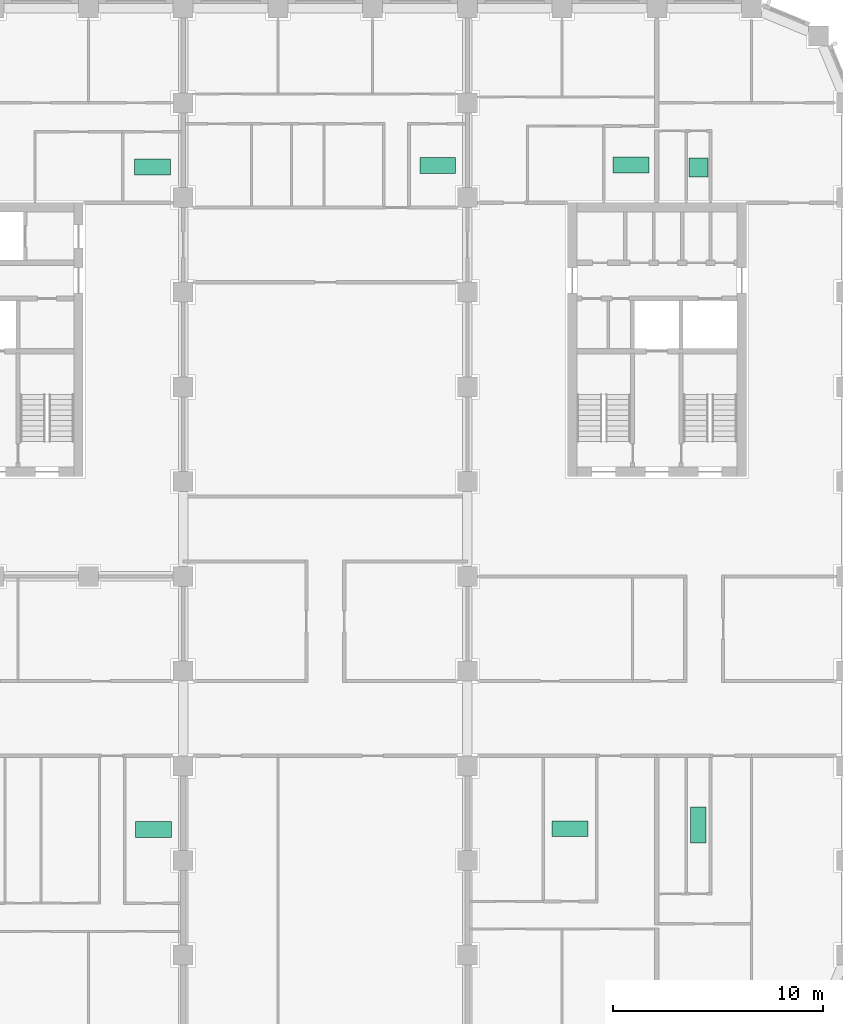
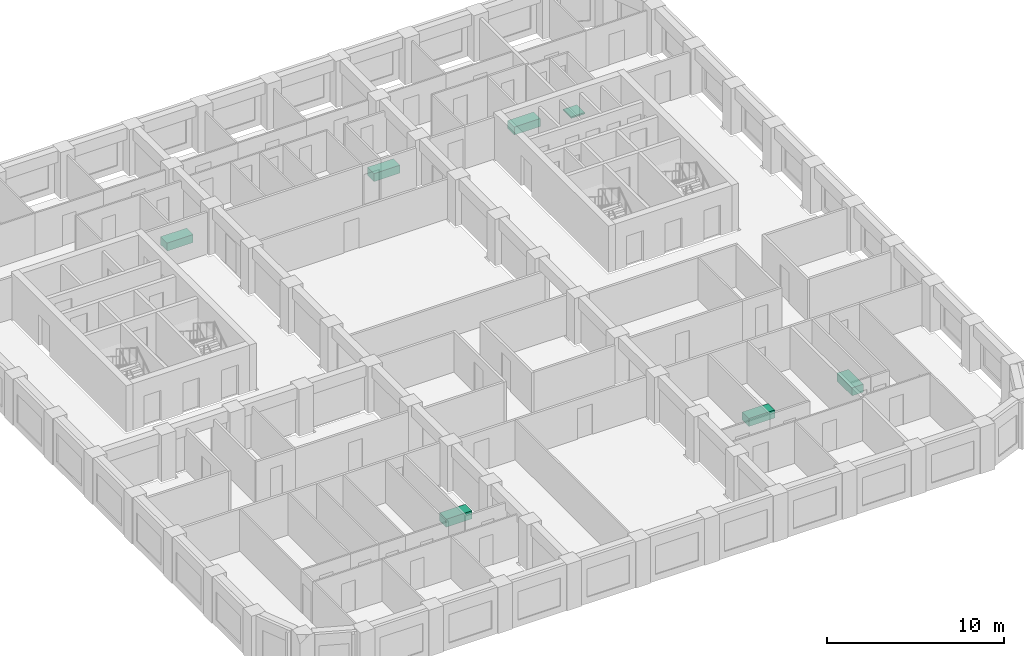
# One storey, part 13 of 13: 7 sanitary terminals.
"""IFC4 building model written with IfcOpenShell, lengths in metres."""

import ifcopenshell
import ifcopenshell.guid

model = None  # the IFC model being written
_history = None  # IfcOwnerHistory: only IFC2X3 demands one
_inside = {}  # id of a spatial element -> (the spatial element, [elements in it])
_under = {}  # id of a project, library or spatial element -> (it, [spatial elements below it])
_declared = {}  # id of a project -> (the project, [libraries it declares])
_typed = {}  # id of a type object -> (the type object, [elements of that type])
_made_of = {}  # id of a material, layer set ... -> (it, [elements and type objects made of it])


def new_model(schema):
    """Start an empty IFC model of exactly this schema.

    Asked for "IFC4X3", IfcOpenShell would pick the latest addendum, in which some entities
    have other attributes; the version numbers below select the first issue.
    IFC2X3 requires an IfcOwnerHistory on every rooted entity: one is made here for all.
    """
    global model, _history
    if schema == "IFC4X3":
        model = ifcopenshell.file(schema_version=(4, 3, 0, 0))
    else:
        model = ifcopenshell.file(schema=schema)
    _inside.clear()
    _under.clear()
    _declared.clear()
    _typed.clear()
    _made_of.clear()
    _history = None
    if model.schema == "IFC2X3":
        org = make("IfcOrganization", Name="unknown")
        user = make(
            "IfcPersonAndOrganization",
            ThePerson=make("IfcPerson", FamilyName="unknown"),
            TheOrganization=org,
        )
        app = make(
            "IfcApplication",
            ApplicationDeveloper=org,
            Version="unknown",
            ApplicationFullName="unknown",
            ApplicationIdentifier="unknown",
        )
        _history = make(
            "IfcOwnerHistory",
            OwningUser=user,
            OwningApplication=app,
            ChangeAction="ADDED",
            CreationDate=0,
        )
    return model


def make(cls, **values):
    """One entity of the class cls with the attributes given. An attribute that is None is left unset."""
    return model.create_entity(
        cls, **{name: value for name, value in values.items() if value is not None}
    )


def rooted(cls, **values):
    """An entity with a GlobalId (a new one), such as an element, a storey or a relation."""
    return make(cls, GlobalId=ifcopenshell.guid.new(), OwnerHistory=_history, **values)


def si_unit(unit_type, name, prefix=None):
    """IfcSIUnit, for example si_unit("LENGTHUNIT", "METRE", prefix="MILLI")."""
    return make("IfcSIUnit", UnitType=unit_type, Prefix=prefix, Name=name)


def assignment(units):
    """IfcUnitAssignment: the units of a project."""
    return None if units is None else make("IfcUnitAssignment", Units=units)


def point(xyz):
    """IfcCartesianPoint."""
    return None if xyz is None else make("IfcCartesianPoint", Coordinates=xyz)


def direction(xyz):
    """IfcDirection."""
    return None if xyz is None else make("IfcDirection", DirectionRatios=xyz)


def frame(location, z_axis=None, x_axis=None):
    """IfcAxis2Placement3D, a coordinate frame: its origin and axes. An axis left out is left unset."""
    return make(
        "IfcAxis2Placement3D",
        Location=point(location),
        Axis=direction(z_axis),
        RefDirection=direction(x_axis),
    )


def frame_2d(location, x_axis=None):
    """IfcAxis2Placement2D, a coordinate frame in the plane: its origin and x axis."""
    return make(
        "IfcAxis2Placement2D", Location=point(location), RefDirection=direction(x_axis)
    )


def origin():
    """The frame at (0, 0, 0) with its axes left unset."""
    return frame((0.0, 0.0, 0.0))


def origin_2d():
    """The frame at (0, 0) in the plane with its x axis left unset."""
    return frame_2d((0.0, 0.0))


def place(relative_to, where):
    """IfcLocalPlacement: puts the frame where relative to a parent placement (None: the world)."""
    return make(
        "IfcLocalPlacement", PlacementRelTo=relative_to, RelativePlacement=where
    )


def context(
    kind, dimensions, precision=None, world=None, true_north=None, identifier=None
):
    """IfcGeometricRepresentationContext, for example the 3D "Model" context."""
    return make(
        "IfcGeometricRepresentationContext",
        ContextIdentifier=identifier,
        ContextType=kind,
        CoordinateSpaceDimension=dimensions,
        Precision=precision,
        WorldCoordinateSystem=world,
        TrueNorth=true_north,
    )


def subcontext(parent, identifier, kind, view, scale=None):
    """IfcGeometricRepresentationSubContext, for example "Body" below "Model"."""
    return make(
        "IfcGeometricRepresentationSubContext",
        ContextIdentifier=identifier,
        ContextType=kind,
        ParentContext=parent,
        TargetScale=scale,
        TargetView=view,
    )


def project(units=None, contexts=None):
    """IfcProject with its units and contexts."""
    return rooted(
        "IfcProject",
        Name="project",
        RepresentationContexts=contexts,
        UnitsInContext=assignment(units),
    )


def spatial(cls, under=None, at=None, **own):
    """A site, building, storey or space (cls), placed at a placement, below another one or the project."""
    s = rooted(cls, ObjectPlacement=at, **own)
    if under is not None:
        _under.setdefault(under.id(), (under, []))[1].append(s)
    return s


def profile(cls, at=None, kind="AREA", **sizes):
    """A parametric profile (cls). Its sizes go by their IFC names, for example OverallWidth=200.0."""
    return make(cls, ProfileType=kind, Position=at, **sizes)


def rectangle(**sizes):
    """IfcRectangleProfileDef."""
    return profile("IfcRectangleProfileDef", **sizes)


def extrude(swept, where, along, depth):
    """IfcExtrudedAreaSolid: the profile swept, set in the frame where, extruded along a direction by depth."""
    return make(
        "IfcExtrudedAreaSolid",
        SweptArea=swept,
        Position=where,
        ExtrudedDirection=direction(along),
        Depth=depth,
    )


def shape(context_of_items, identifier, shape_type, items):
    """IfcShapeRepresentation: the items that make up one representation, for example the "Body"."""
    return make(
        "IfcShapeRepresentation",
        ContextOfItems=context_of_items,
        RepresentationIdentifier=identifier,
        RepresentationType=shape_type,
        Items=items,
    )


def material(Name=None, Category=None):
    """IfcMaterial."""
    return make("IfcMaterial", Name=Name, Category=Category)


def made_of(thing, what):
    """Note that an element or type object is made of a material, layer set ...; save() writes the relation."""
    if what is not None:
        _made_of.setdefault(what.id(), (what, []))[1].append(thing)
    return thing


def type_object(cls, material=None, **own):
    """A type object (cls), such as IfcWallType, which elements share."""
    return made_of(rooted(cls, **own), material)


def element(
    cls,
    number,
    at=None,
    inside=None,
    cuts=None,
    type_object=None,
    material=None,
    context=None,
    identifier="Body",
    shape_type=None,
    held_by="IfcProductDefinitionShape",
    body=None,
    shapes=None,
    **own,
):
    """One element of the class cls, such as IfcWall. Its Tag is "e" and its number.

    at: its placement. inside: the storey or other place that contains it. cuts: it is an
    opening in that element (IfcRelVoidsElement). A single representation is given by context,
    identifier, shape_type and body (its items); several are given by shapes. held_by: the class
    of the entity that holds the representations. save() writes the other relations.
    """
    e = rooted(cls, Tag="e%d" % number, ObjectPlacement=at, **own)
    if body is not None:
        shapes = [shape(context, identifier, shape_type, body)]
    if shapes is not None:
        e.Representation = make(held_by, Representations=shapes)
    if inside is not None:
        _inside.setdefault(inside.id(), (inside, []))[1].append(e)
    if cuts is not None:
        rooted(
            "IfcRelVoidsElement", RelatingBuildingElement=cuts, RelatedOpeningElement=e
        )
    if type_object is not None:
        _typed.setdefault(type_object.id(), (type_object, []))[1].append(e)
    return made_of(e, material)


def aggregate(whole, parts):
    """IfcRelAggregates: a whole, such as a stair, and the parts it consists of."""
    return rooted("IfcRelAggregates", RelatingObject=whole, RelatedObjects=parts)


def save(model, path):
    """Write the relations noted so far, then the file.

    IfcRelAggregates (storeys below a building ...), IfcRelContainedInSpatialStructure (elements
    in a storey), IfcRelDefinesByType, IfcRelAssociatesMaterial and IfcRelDeclares: one each for
    every whole, place, type object, material and project.
    """
    for whole, parts in _under.values():
        aggregate(whole, parts)
    for where, things in _inside.values():
        rooted(
            "IfcRelContainedInSpatialStructure",
            RelatedElements=things,
            RelatingStructure=where,
        )
    for kind, things in _typed.values():
        rooted("IfcRelDefinesByType", RelatedObjects=things, RelatingType=kind)
    for what, things in _made_of.values():
        rooted("IfcRelAssociatesMaterial", RelatedObjects=things, RelatingMaterial=what)
    for by, libraries in _declared.values():
        rooted("IfcRelDeclares", RelatingContext=by, RelatedDefinitions=libraries)
    model.write(path)


model = new_model("IFC4")

# Units and contexts
model_context = context("Model", 3, precision=1e-05, world=origin(), true_north=direction((0.0, 1.0)))
body_context = subcontext(model_context, "Body", "Model", "MODEL_VIEW")
ifc_project = project(units=[si_unit("LENGTHUNIT", "METRE"), si_unit("AREAUNIT", "SQUARE_METRE"), si_unit("VOLUMEUNIT", "CUBIC_METRE"), si_unit("PLANEANGLEUNIT", "RADIAN"), si_unit("MASSUNIT", "GRAM", prefix="KILO")], contexts=[model_context])

# Site, building, storey
site_placement = place(None, origin())
site = spatial("IfcSite", under=ifc_project, at=site_placement, CompositionType="ELEMENT")
building_placement = place(site_placement, origin())
building = spatial("IfcBuilding", under=site, at=building_placement, Name="Girih Gate Residences", CompositionType="ELEMENT")
storey_placement = place(building_placement, frame((0.0, 0.0, 130.199951171875)))
storey = spatial("IfcBuildingStorey", under=building, at=storey_placement, Name="L36", CompositionType="ELEMENT", Elevation=130.199951171875)

# Sanitary terminals
ifc_material = material(Name="Acrylic")
sanitary_terminal_type_1 = type_object("IfcSanitaryTerminalType", Name="Bath 1700", PredefinedType="BATH", material=ifc_material)
for number, where, z_axis, x_axis, name in (
    (1, (16.5810546875, 10.468994140625, 0.0), (0.0, 0.0, 1.0), (1.0, 0.0, 0.0), "Bath 1700 L36"),
    (2, (16.541015625, 41.94091796875, 0.0), (0.0, 0.0, 1.0), (1.0, 0.0, 0.0), "Bath 1700 L36"),
):
    element("IfcSanitaryTerminal", number, at=place(storey_placement, frame(where, z_axis=z_axis, x_axis=x_axis)), inside=storey, type_object=sanitary_terminal_type_1, Name=name, PredefinedType="BATH", context=body_context, shape_type="SweptSolid", body=[
        extrude(rectangle(XDim=1.699951171875, YDim=0.75, at=origin_2d()), origin(), (0.0, 0.0, 1.0), 0.550048828125),
    ])
sanitary_terminal_1_placement = place(storey_placement, frame((42.470947265625, 10.68896484375, 0.0), z_axis=(0.0, 0.0, 1.0), x_axis=(1.0, 0.0, 0.0)))
element("IfcSanitaryTerminal", 3, at=sanitary_terminal_1_placement, inside=storey, type_object=sanitary_terminal_type_1, Name="Bath 1700 L36", PredefinedType="BATH", context=body_context, shape_type="SweptSolid", body=[
    extrude(rectangle(XDim=0.75, YDim=1.699951171875, at=origin_2d()), origin(), (0.0, 0.0, 1.0), 0.550048828125),
])
for number, where, z_axis, x_axis, name in (
    (4, (36.3798828125, 10.509033203125, 0.0), (0.0, 0.0, 1.0), (1.0, 0.0, 0.0), "Bath 1700 L36"),
    (5, (39.26806640625, 42.041015625, 0.0), (0.0, 0.0, 1.0), (1.0, 0.0, 0.0), "Bath 1700 L36"),
    (6, (30.093994140625, 42.02099609375, 0.0), (0.0, 0.0, 1.0), (1.0, 0.0, 0.0), "Bath 1700 L36"),
):
    element("IfcSanitaryTerminal", number, at=place(storey_placement, frame(where, z_axis=z_axis, x_axis=x_axis)), inside=storey, type_object=sanitary_terminal_type_1, Name=name, PredefinedType="BATH", context=body_context, shape_type="SweptSolid", body=[
        extrude(rectangle(XDim=1.699951171875, YDim=0.75, at=origin_2d()), origin(), (0.0, 0.0, 1.0), 0.550048828125),
    ])
sanitary_terminal_type_2 = type_object("IfcSanitaryTerminalType", Name="Shower tray 900", PredefinedType="SHOWER", material=ifc_material)
sanitary_terminal_2_placement = place(storey_placement, frame((42.470947265625, 41.924072265625, 0.0), z_axis=(0.0, 0.0, 1.0), x_axis=(1.0, 0.0, 0.0)))
element("IfcSanitaryTerminal", 7, at=sanitary_terminal_2_placement, inside=storey, type_object=sanitary_terminal_type_2, Name="Shower tray 900 L36", PredefinedType="SHOWER", context=body_context, shape_type="SweptSolid", body=[
    extrude(rectangle(XDim=0.89990234375, YDim=0.89990234375, at=origin_2d()), origin(), (0.0, 0.0, 1.0), 0.10009765625),
])

save(model, "model.ifc")
